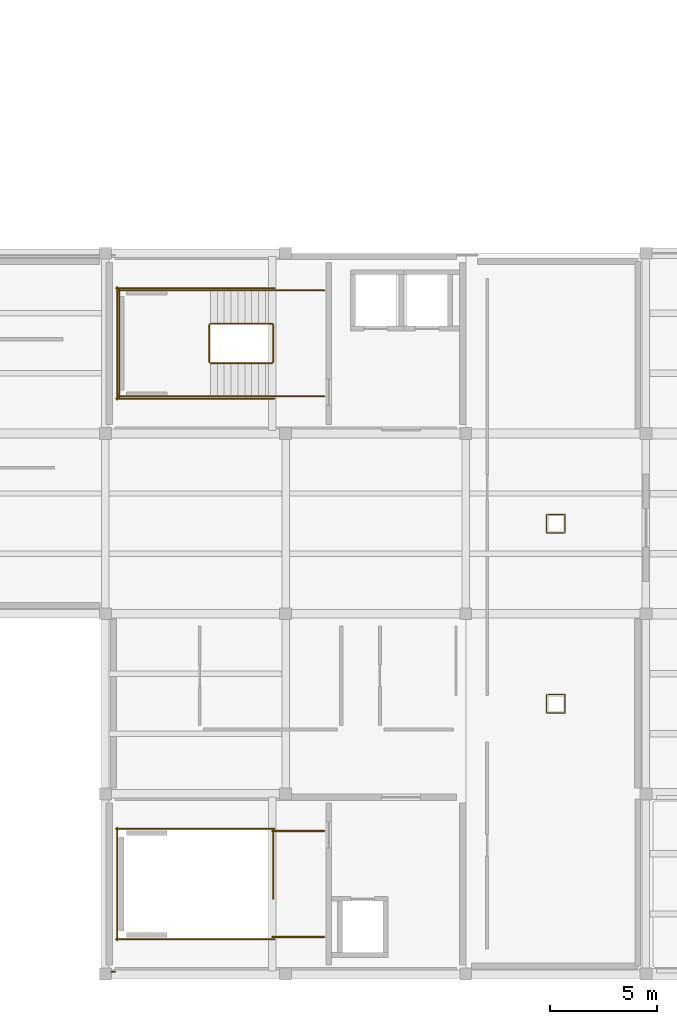
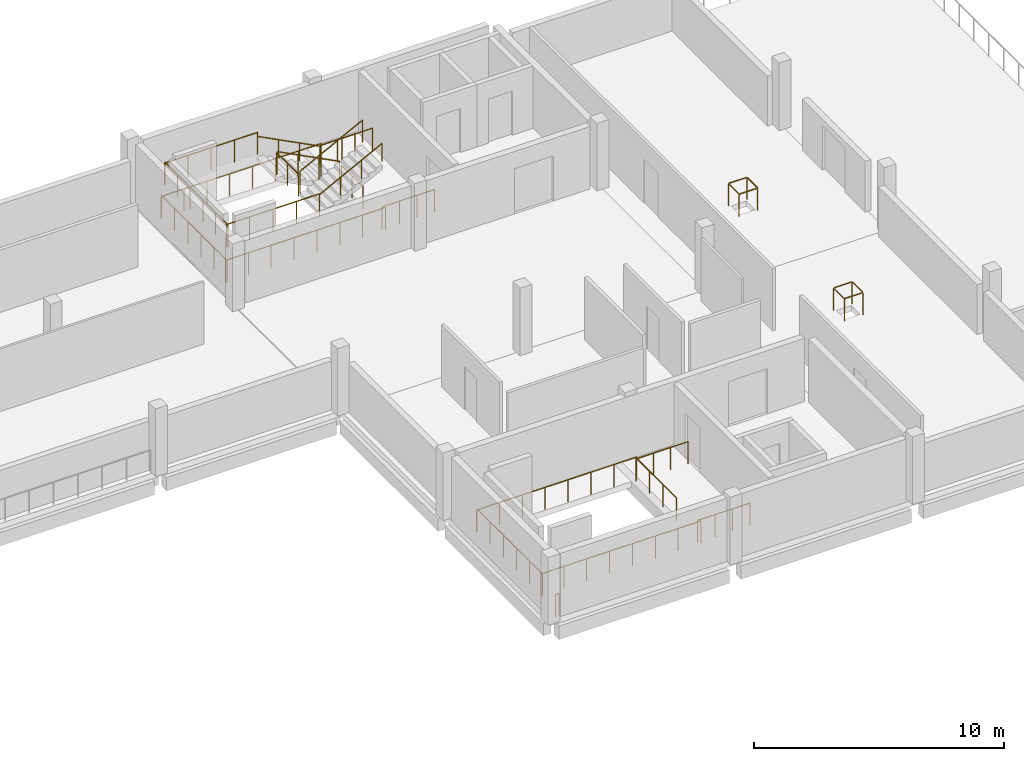
# One storey, part 41 of 43: 23 railings.
"""IFC4 building model written with IfcOpenShell, lengths in metres."""

from ifc_helpers import new_model, si_unit, derived_unit, direction, frame, origin, origin_2d, place, context, subcontext, project, spatial, circle, extrude, material, type_object, element, save


model = new_model("IFC4")

# Units and contexts
model_context = context("Model", 3, precision=1e-05, world=origin(), true_north=direction((0.0, 1.0)))
body_context = subcontext(model_context, "Body", "Model", "MODEL_VIEW")
ifc_project = project(units=[si_unit("LENGTHUNIT", "METRE"), si_unit("AREAUNIT", "SQUARE_METRE"), si_unit("VOLUMEUNIT", "CUBIC_METRE"), si_unit("PLANEANGLEUNIT", "RADIAN"), si_unit("MASSUNIT", "GRAM", prefix="KILO"), derived_unit("THERMALTRANSMITTANCEUNIT", [(si_unit("POWERUNIT", "WATT"), 1), (si_unit("LENGTHUNIT", "METRE"), -2), (si_unit("THERMODYNAMICTEMPERATUREUNIT", "KELVIN"), -1)])], contexts=[model_context])

# Site, building, storey
site_placement = place(None, origin())
site = spatial("IfcSite", under=ifc_project, at=site_placement, CompositionType="ELEMENT")
building_placement = place(site_placement, origin())
building = spatial("IfcBuilding", under=site, at=building_placement, Name="Elbkamm Science Centre", CompositionType="ELEMENT")
storey_placement = place(building_placement, frame((0.0, 0.0, 18.300048828125)))
storey = spatial("IfcBuildingStorey", under=building, at=storey_placement, Name="L04", CompositionType="ELEMENT", Elevation=18.300048828125)

# Railings
ifc_material = material(Name="Stainless steel EN 1.4401", Category="steel")
railing_type_1 = type_object("IfcRailingType", Name="RAIL-EXT-GUARD-1100", PredefinedType="GUARDRAIL", material=ifc_material)
railing_1_placement = place(storey_placement, frame((126.449951171875, 25.300048828125, 0.0)))
element("IfcRailing", 1, at=railing_1_placement, inside=storey, type_object=railing_type_1, Name="L04 Slab Edge Perimeter Guard 105", PredefinedType="GUARDRAIL", context=body_context, shape_type="SweptSolid", body=[
    extrude(circle(Radius=0.02392578125, at=origin_2d()), frame((0.0, 0.0, 1.078125), z_axis=(-1.0, 0.0, 0.0), x_axis=(0.0, -1.0, 0.0)), (0.0, 0.0, 1.0), 0.169921875),
    extrude(circle(Radius=0.02001953125, at=origin_2d()), origin(), (0.0, 0.0, 1.0), 1.048095703125),
    extrude(circle(Radius=0.02001953125, at=origin_2d()), frame((-0.169921875, 0.0, 0.0)), (0.0, 0.0, 1.0), 1.048095703125),
])
railing_type_2 = type_object("IfcRailingType", Name="RAIL-GUARD-1100", PredefinedType="GUARDRAIL", material=ifc_material)
railing_2_placement = place(storey_placement, frame((133.780029296875, 55.52001953125, 0.1650390625)))
element("IfcRailing", 2, at=railing_2_placement, inside=storey, type_object=railing_type_2, Name="L04 ST-C3 stair guard 1", PredefinedType="GUARDRAIL", context=body_context, shape_type="SweptSolid", body=[
    extrude(circle(Radius=0.02392578125, at=origin_2d()), frame((0.0, 0.0, 1.078125), z_axis=(-0.888828580888, 0.0, 0.458239843092), x_axis=(0.0, -1.0, 0.0)), (0.0, 0.0, 1.0), 3.240478515625),
    extrude(circle(Radius=0.02001953125, at=origin_2d()), origin(), (0.0, 0.0, 1.0), 1.048095703125),
    extrude(circle(Radius=0.02001953125, at=origin_2d()), frame((-0.9599609375, 0.0, 0.494873046875)), (0.0, 0.0, 1.0), 1.048095703125),
    extrude(circle(Radius=0.02001953125, at=origin_2d()), frame((-1.920166015625, 0.0, 0.989990234375)), (0.0, 0.0, 1.0), 1.048095703125),
    extrude(circle(Radius=0.02001953125, at=origin_2d()), frame((-2.880126953125, 0.0, 1.48486328125)), (0.0, 0.0, 1.0), 1.048095703125),
])
railing_3_placement = place(storey_placement, frame((130.85009765625, 55.469970703125, 1.64990234375)))
element("IfcRailing", 3, at=railing_3_placement, inside=storey, type_object=railing_type_2, Name="L04 ST-C3 stair guard 2", PredefinedType="GUARDRAIL", context=body_context, shape_type="SweptSolid", body=[
    extrude(circle(Radius=0.02392578125, at=origin_2d()), frame((0.0, 0.0, 1.078125), z_axis=(0.0, -1.0, 0.0), x_axis=(1.0, 0.0, 0.0)), (0.0, 0.0, 1.0), 1.739990234375),
    extrude(circle(Radius=0.02001953125, at=origin_2d()), origin(), (0.0, 0.0, 1.0), 1.048095703125),
    extrude(circle(Radius=0.02001953125, at=origin_2d()), frame((0.0, -0.8701171875, 0.0)), (0.0, 0.0, 1.0), 1.048095703125),
    extrude(circle(Radius=0.02001953125, at=origin_2d()), frame((0.0, -1.739990234375, 0.0)), (0.0, 0.0, 1.0), 1.048095703125),
])
for number, where, name in (
    (4, (130.89990234375, 57.070068359375, 1.64990234375), "L04 ST-C3 stair guard 3"),
    (5, (130.89990234375, 52.1298828125, 1.64990234375), "L04 ST-C3 stair guard 4"),
):
    element("IfcRailing", number, at=place(storey_placement, frame(where)), inside=storey, type_object=railing_type_2, Name=name, PredefinedType="GUARDRAIL", context=body_context, shape_type="SweptSolid", body=[
        extrude(circle(Radius=0.02392578125, at=origin_2d()), frame((0.0, 0.0, 1.078125), z_axis=(-1.0, 0.0, 0.0), x_axis=(0.0, -1.0, 0.0)), (0.0, 0.0, 1.0), 4.2998046875),
        extrude(circle(Radius=0.02001953125, at=origin_2d()), origin(), (0.0, 0.0, 1.0), 1.048095703125),
        extrude(circle(Radius=0.02001953125, at=origin_2d()), frame((-1.074951171875, 0.0, 0.0)), (0.0, 0.0, 1.0), 1.048095703125),
        extrude(circle(Radius=0.02001953125, at=origin_2d()), frame((-2.14990234375, 0.0, 0.0)), (0.0, 0.0, 1.0), 1.048095703125),
        extrude(circle(Radius=0.02001953125, at=origin_2d()), frame((-3.224853515625, 0.0, 0.0)), (0.0, 0.0, 1.0), 1.048095703125),
        extrude(circle(Radius=0.02001953125, at=origin_2d()), frame((-4.2998046875, 0.0, 0.0)), (0.0, 0.0, 1.0), 1.048095703125),
    ])
railing_4_placement = place(storey_placement, frame((126.64990234375, 57.1201171875, 1.64990234375)))
element("IfcRailing", 6, at=railing_4_placement, inside=storey, type_object=railing_type_2, Name="L04 ST-C3 stair guard 5", PredefinedType="GUARDRAIL", context=body_context, shape_type="SweptSolid", body=[
    extrude(circle(Radius=0.02392578125, at=origin_2d()), frame((0.0, 0.0, 1.078125), z_axis=(0.0, -1.0, 0.0), x_axis=(1.0, 0.0, 0.0)), (0.0, 0.0, 1.0), 5.0400390625),
    extrude(circle(Radius=0.02001953125, at=origin_2d()), origin(), (0.0, 0.0, 1.0), 1.048095703125),
    extrude(circle(Radius=0.02001953125, at=origin_2d()), frame((0.0, -1.008056640625, 0.0)), (0.0, 0.0, 1.0), 1.048095703125),
    extrude(circle(Radius=0.02001953125, at=origin_2d()), frame((0.0, -2.01611328125, 0.0)), (0.0, 0.0, 1.0), 1.048095703125),
    extrude(circle(Radius=0.02001953125, at=origin_2d()), frame((0.0, -3.02392578125, 0.0)), (0.0, 0.0, 1.0), 1.048095703125),
    extrude(circle(Radius=0.02001953125, at=origin_2d()), frame((0.0, -4.031982421875, 0.0)), (0.0, 0.0, 1.0), 1.048095703125),
    extrude(circle(Radius=0.02001953125, at=origin_2d()), frame((0.0, -5.0400390625, 0.0)), (0.0, 0.0, 1.0), 1.048095703125),
])
railing_5_placement = place(storey_placement, frame((130.89990234375, 53.679931640625, 1.81494140625)))
element("IfcRailing", 7, at=railing_5_placement, inside=storey, type_object=railing_type_2, Name="L04 ST-C3 stair guard 6", PredefinedType="GUARDRAIL", context=body_context, shape_type="SweptSolid", body=[
    extrude(circle(Radius=0.02392578125, at=origin_2d()), frame((0.0, 0.0, 1.078125), z_axis=(0.888797892752, 0.0, 0.458299362687), x_axis=(0.0, 1.0, 0.0)), (0.0, 0.0, 1.0), 3.240478515625),
    extrude(circle(Radius=0.02001953125, at=origin_2d()), origin(), (0.0, 0.0, 1.0), 1.048095703125),
    extrude(circle(Radius=0.02001953125, at=origin_2d()), frame((0.9599609375, 0.0, 0.4951171875)), (0.0, 0.0, 1.0), 1.048095703125),
    extrude(circle(Radius=0.02001953125, at=origin_2d()), frame((1.920166015625, 0.0, 0.989990234375)), (0.0, 0.0, 1.0), 1.048095703125),
    extrude(circle(Radius=0.02001953125, at=origin_2d()), frame((2.880126953125, 0.0, 1.485107421875)), (0.0, 0.0, 1.0), 1.048095703125),
])
railing_6_placement = place(storey_placement, frame((133.830078125, 55.469970703125, 0.0)))
element("IfcRailing", 8, at=railing_6_placement, inside=storey, type_object=railing_type_2, Name="L04 ST-C3 stair guard 7", PredefinedType="GUARDRAIL", context=body_context, shape_type="SweptSolid", body=[
    extrude(circle(Radius=0.02392578125, at=origin_2d()), frame((0.0, 0.0, 1.078125), z_axis=(0.0, -1.0, 0.0), x_axis=(1.0, 0.0, 0.0)), (0.0, 0.0, 1.0), 1.739990234375),
    extrude(circle(Radius=0.02001953125, at=origin_2d()), origin(), (0.0, 0.0, 1.0), 1.048095703125),
    extrude(circle(Radius=0.02001953125, at=origin_2d()), frame((0.0, -0.8701171875, 0.0)), (0.0, 0.0, 1.0), 1.048095703125),
    extrude(circle(Radius=0.02001953125, at=origin_2d()), frame((0.0, -1.739990234375, 0.0)), (0.0, 0.0, 1.0), 1.048095703125),
])
for number, where, name in (
    (9, (136.199951171875, 57.070068359375, 0.0), "L04 ST-C3 stair guard 8"),
    (10, (136.199951171875, 52.1298828125, 0.0), "L04 ST-C3 stair guard 9"),
):
    element("IfcRailing", number, at=place(storey_placement, frame(where)), inside=storey, type_object=railing_type_2, Name=name, PredefinedType="GUARDRAIL", context=body_context, shape_type="SweptSolid", body=[
        extrude(circle(Radius=0.02392578125, at=origin_2d()), frame((0.0, 0.0, 1.078125), z_axis=(-1.0, 0.0, 0.0), x_axis=(0.0, -1.0, 0.0)), (0.0, 0.0, 1.0), 2.419921875),
        extrude(circle(Radius=0.02001953125, at=origin_2d()), origin(), (0.0, 0.0, 1.0), 1.048095703125),
        extrude(circle(Radius=0.02001953125, at=origin_2d()), frame((-0.806640625, 0.0, 0.0)), (0.0, 0.0, 1.0), 1.048095703125),
        extrude(circle(Radius=0.02001953125, at=origin_2d()), frame((-1.61328125, 0.0, 0.0)), (0.0, 0.0, 1.0), 1.048095703125),
        extrude(circle(Radius=0.02001953125, at=origin_2d()), frame((-2.419921875, 0.0, 0.0)), (0.0, 0.0, 1.0), 1.048095703125),
    ])
for number, where, name in (
    (11, (133.8798828125, 57.169921875, 0.0), "L04 ST-C3 stair guard 10"),
    (12, (133.8798828125, 52.030029296875, 0.0), "L04 ST-C3 stair guard 11"),
):
    element("IfcRailing", number, at=place(storey_placement, frame(where)), inside=storey, type_object=railing_type_2, Name=name, PredefinedType="GUARDRAIL", context=body_context, shape_type="SweptSolid", body=[
        extrude(circle(Radius=0.02392578125, at=origin_2d()), frame((0.0, 0.0, 1.078125), z_axis=(-1.0, 0.0, 0.0), x_axis=(0.0, -1.0, 0.0)), (0.0, 0.0, 1.0), 7.3798828125),
        extrude(circle(Radius=0.02001953125, at=origin_2d()), origin(), (0.0, 0.0, 1.0), 1.048095703125),
        extrude(circle(Radius=0.02001953125, at=origin_2d()), frame((-1.05419921875, 0.0, 0.0)), (0.0, 0.0, 1.0), 1.048095703125),
        extrude(circle(Radius=0.02001953125, at=origin_2d()), frame((-2.108642578125, 0.0, 0.0)), (0.0, 0.0, 1.0), 1.048095703125),
        extrude(circle(Radius=0.02001953125, at=origin_2d()), frame((-3.162841796875, 0.0, 0.0)), (0.0, 0.0, 1.0), 1.048095703125),
        extrude(circle(Radius=0.02001953125, at=origin_2d()), frame((-4.217041015625, 0.0, 0.0)), (0.0, 0.0, 1.0), 1.048095703125),
        extrude(circle(Radius=0.02001953125, at=origin_2d()), frame((-5.271240234375, 0.0, 0.0)), (0.0, 0.0, 1.0), 1.048095703125),
        extrude(circle(Radius=0.02001953125, at=origin_2d()), frame((-6.32568359375, 0.0, 0.0)), (0.0, 0.0, 1.0), 1.048095703125),
        extrude(circle(Radius=0.02001953125, at=origin_2d()), frame((-7.3798828125, 0.0, 0.0)), (0.0, 0.0, 1.0), 1.048095703125),
    ])
railing_7_placement = place(storey_placement, frame((126.550048828125, 57.219970703125, 0.0)))
element("IfcRailing", 13, at=railing_7_placement, inside=storey, type_object=railing_type_2, Name="L04 ST-C3 stair guard 12", PredefinedType="GUARDRAIL", context=body_context, shape_type="SweptSolid", body=[
    extrude(circle(Radius=0.02392578125, at=origin_2d()), frame((0.0, 0.0, 1.078125), z_axis=(0.0, -1.0, 0.0), x_axis=(1.0, 0.0, 0.0)), (0.0, 0.0, 1.0), 5.239990234375),
    extrude(circle(Radius=0.02001953125, at=origin_2d()), origin(), (0.0, 0.0, 1.0), 1.048095703125),
    extrude(circle(Radius=0.02001953125, at=origin_2d()), frame((0.0, -1.048095703125, 0.0)), (0.0, 0.0, 1.0), 1.048095703125),
    extrude(circle(Radius=0.02001953125, at=origin_2d()), frame((0.0, -2.095947265625, 0.0)), (0.0, 0.0, 1.0), 1.048095703125),
    extrude(circle(Radius=0.02001953125, at=origin_2d()), frame((0.0, -3.14404296875, 0.0)), (0.0, 0.0, 1.0), 1.048095703125),
    extrude(circle(Radius=0.02001953125, at=origin_2d()), frame((0.0, -4.19189453125, 0.0)), (0.0, 0.0, 1.0), 1.048095703125),
    extrude(circle(Radius=0.02001953125, at=origin_2d()), frame((0.0, -5.239990234375, 0.0)), (0.0, 0.0, 1.0), 1.048095703125),
])
railing_8_placement = place(storey_placement, frame((133.830078125, 31.919921875, 0.0)))
element("IfcRailing", 14, at=railing_8_placement, inside=storey, type_object=railing_type_2, Name="L04 ST-C4 top well guard 1", PredefinedType="GUARDRAIL", context=body_context, shape_type="SweptSolid", body=[
    extrude(circle(Radius=0.02392578125, at=origin_2d()), frame((0.0, 0.0, 1.078125), z_axis=(0.0, -1.0, 0.0), x_axis=(1.0, 0.0, 0.0)), (0.0, 0.0, 1.0), 3.219970703125),
    extrude(circle(Radius=0.02001953125, at=origin_2d()), origin(), (0.0, 0.0, 1.0), 1.048095703125),
    extrude(circle(Radius=0.02001953125, at=origin_2d()), frame((0.0, -1.0732421875, 0.0)), (0.0, 0.0, 1.0), 1.048095703125),
    extrude(circle(Radius=0.02001953125, at=origin_2d()), frame((0.0, -2.146728515625, 0.0)), (0.0, 0.0, 1.0), 1.048095703125),
    extrude(circle(Radius=0.02001953125, at=origin_2d()), frame((0.0, -3.219970703125, 0.0)), (0.0, 0.0, 1.0), 1.048095703125),
])
for number, where, name in (
    (15, (133.8798828125, 31.969970703125, 0.0), "L04 ST-C4 top well guard 2"),
    (16, (133.8798828125, 26.830078125, 0.0), "L04 ST-C4 top well guard 3"),
):
    element("IfcRailing", number, at=place(storey_placement, frame(where)), inside=storey, type_object=railing_type_2, Name=name, PredefinedType="GUARDRAIL", context=body_context, shape_type="SweptSolid", body=[
        extrude(circle(Radius=0.02392578125, at=origin_2d()), frame((0.0, 0.0, 1.078125), z_axis=(-1.0, 0.0, 0.0), x_axis=(0.0, -1.0, 0.0)), (0.0, 0.0, 1.0), 7.3798828125),
        extrude(circle(Radius=0.02001953125, at=origin_2d()), origin(), (0.0, 0.0, 1.0), 1.048095703125),
        extrude(circle(Radius=0.02001953125, at=origin_2d()), frame((-1.05419921875, 0.0, 0.0)), (0.0, 0.0, 1.0), 1.048095703125),
        extrude(circle(Radius=0.02001953125, at=origin_2d()), frame((-2.108642578125, 0.0, 0.0)), (0.0, 0.0, 1.0), 1.048095703125),
        extrude(circle(Radius=0.02001953125, at=origin_2d()), frame((-3.162841796875, 0.0, 0.0)), (0.0, 0.0, 1.0), 1.048095703125),
        extrude(circle(Radius=0.02001953125, at=origin_2d()), frame((-4.217041015625, 0.0, 0.0)), (0.0, 0.0, 1.0), 1.048095703125),
        extrude(circle(Radius=0.02001953125, at=origin_2d()), frame((-5.271240234375, 0.0, 0.0)), (0.0, 0.0, 1.0), 1.048095703125),
        extrude(circle(Radius=0.02001953125, at=origin_2d()), frame((-6.32568359375, 0.0, 0.0)), (0.0, 0.0, 1.0), 1.048095703125),
        extrude(circle(Radius=0.02001953125, at=origin_2d()), frame((-7.3798828125, 0.0, 0.0)), (0.0, 0.0, 1.0), 1.048095703125),
    ])
railing_9_placement = place(storey_placement, frame((126.550048828125, 32.02001953125, 0.0)))
element("IfcRailing", 17, at=railing_9_placement, inside=storey, type_object=railing_type_2, Name="L04 ST-C4 top well guard 4", PredefinedType="GUARDRAIL", context=body_context, shape_type="SweptSolid", body=[
    extrude(circle(Radius=0.02392578125, at=origin_2d()), frame((0.0, 0.0, 1.078125), z_axis=(0.0, -1.0, 0.0), x_axis=(1.0, 0.0, 0.0)), (0.0, 0.0, 1.0), 5.239990234375),
    extrude(circle(Radius=0.02001953125, at=origin_2d()), origin(), (0.0, 0.0, 1.0), 1.048095703125),
    extrude(circle(Radius=0.02001953125, at=origin_2d()), frame((0.0, -1.048095703125, 0.0)), (0.0, 0.0, 1.0), 1.048095703125),
    extrude(circle(Radius=0.02001953125, at=origin_2d()), frame((0.0, -2.095947265625, 0.0)), (0.0, 0.0, 1.0), 1.048095703125),
    extrude(circle(Radius=0.02001953125, at=origin_2d()), frame((0.0, -3.14404296875, 0.0)), (0.0, 0.0, 1.0), 1.048095703125),
    extrude(circle(Radius=0.02001953125, at=origin_2d()), frame((0.0, -4.19189453125, 0.0)), (0.0, 0.0, 1.0), 1.048095703125),
    extrude(circle(Radius=0.02001953125, at=origin_2d()), frame((0.0, -5.239990234375, 0.0)), (0.0, 0.0, 1.0), 1.048095703125),
])
for number, where, name in (
    (18, (136.199951171875, 31.8701171875, 0.0), "L04 ST-C4 top well guard 5"),
    (19, (136.199951171875, 26.929931640625, 0.0), "L04 ST-C4 top well guard 6"),
):
    element("IfcRailing", number, at=place(storey_placement, frame(where)), inside=storey, type_object=railing_type_2, Name=name, PredefinedType="GUARDRAIL", context=body_context, shape_type="SweptSolid", body=[
        extrude(circle(Radius=0.02392578125, at=origin_2d()), frame((0.0, 0.0, 1.078125), z_axis=(-1.0, 0.0, 0.0), x_axis=(0.0, -1.0, 0.0)), (0.0, 0.0, 1.0), 2.419921875),
        extrude(circle(Radius=0.02001953125, at=origin_2d()), origin(), (0.0, 0.0, 1.0), 1.048095703125),
        extrude(circle(Radius=0.02001953125, at=origin_2d()), frame((-0.806640625, 0.0, 0.0)), (0.0, 0.0, 1.0), 1.048095703125),
        extrude(circle(Radius=0.02001953125, at=origin_2d()), frame((-1.61328125, 0.0, 0.0)), (0.0, 0.0, 1.0), 1.048095703125),
        extrude(circle(Radius=0.02001953125, at=origin_2d()), frame((-2.419921875, 0.0, 0.0)), (0.0, 0.0, 1.0), 1.048095703125),
    ])
for number, where, name in (
    (20, (146.570068359375, 37.3701171875, 0.0), "L04 Service Riser Opening Guardrail 026"),
    (21, (146.570068359375, 45.77001953125, 0.0), "L04 Service Riser Opening Guardrail 027"),
):
    element("IfcRailing", number, at=place(storey_placement, frame(where)), inside=storey, type_object=railing_type_2, Name=name, PredefinedType="GUARDRAIL", context=body_context, shape_type="SweptSolid", body=[
        extrude(circle(Radius=0.02392578125, at=origin_2d()), frame((0.0, 0.0, 1.078125), z_axis=(1.0, 0.0, 0.0), x_axis=(0.0, 1.0, 0.0)), (0.0, 0.0, 1.0), 0.829833984375),
        extrude(circle(Radius=0.02392578125, at=origin_2d()), frame((0.85986328125, 0.030029296875, 1.078125), z_axis=(0.0, 1.0, 0.0), x_axis=(-1.0, 0.0, 0.0)), (0.0, 0.0, 1.0), 0.7998046875),
        extrude(circle(Radius=0.02392578125, at=origin_2d()), frame((0.829833984375, 0.85986328125, 1.078125), z_axis=(-1.0, 0.0, 0.0), x_axis=(0.0, -1.0, 0.0)), (0.0, 0.0, 1.0), 0.7998046875),
        extrude(circle(Radius=0.02392578125, at=origin_2d()), frame((0.0, 0.829833984375, 1.078125), z_axis=(0.0, -1.0, 0.0), x_axis=(1.0, 0.0, 0.0)), (0.0, 0.0, 1.0), 0.829833984375),
        extrude(circle(Radius=0.02001953125, at=origin_2d()), origin(), (0.0, 0.0, 1.0), 1.048095703125),
        extrude(circle(Radius=0.02001953125, at=origin_2d()), frame((0.85986328125, 0.0, 0.0)), (0.0, 0.0, 1.0), 1.048095703125),
        extrude(circle(Radius=0.02001953125, at=origin_2d()), frame((0.85986328125, 0.85986328125, 0.0)), (0.0, 0.0, 1.0), 1.048095703125),
        extrude(circle(Radius=0.02001953125, at=origin_2d()), frame((0.0, 0.85986328125, 0.0)), (0.0, 0.0, 1.0), 1.048095703125),
    ])
railing_type_3 = type_object("IfcRailingType", Name="RAIL-HAND-900", PredefinedType="HANDRAIL", material=ifc_material)
railing_10_placement = place(storey_placement, frame((133.780029296875, 57.070068359375, 0.1650390625)))
element("IfcRailing", 22, at=railing_10_placement, inside=storey, type_object=railing_type_3, Name="L04 ST-C3 stair handrail 1", PredefinedType="HANDRAIL", context=body_context, shape_type="SweptSolid", body=[
    extrude(circle(Radius=0.02392578125, at=origin_2d()), frame((0.0, 0.0, 0.8779296875), z_axis=(-0.888828580888, 0.0, 0.458239843092), x_axis=(0.0, -1.0, 0.0)), (0.0, 0.0, 1.0), 3.240478515625),
    extrude(circle(Radius=0.02001953125, at=origin_2d()), origin(), (0.0, 0.0, 1.0), 0.847900390625),
    extrude(circle(Radius=0.02001953125, at=origin_2d()), frame((-0.9599609375, 0.0, 0.494873046875)), (0.0, 0.0, 1.0), 0.847900390625),
    extrude(circle(Radius=0.02001953125, at=origin_2d()), frame((-1.920166015625, 0.0, 0.989990234375)), (0.0, 0.0, 1.0), 0.847900390625),
    extrude(circle(Radius=0.02001953125, at=origin_2d()), frame((-2.880126953125, 0.0, 1.48486328125)), (0.0, 0.0, 1.0), 0.847900390625),
])
railing_11_placement = place(storey_placement, frame((130.89990234375, 52.1298828125, 1.81494140625)))
element("IfcRailing", 23, at=railing_11_placement, inside=storey, type_object=railing_type_3, Name="L04 ST-C3 stair handrail 2", PredefinedType="HANDRAIL", context=body_context, shape_type="SweptSolid", body=[
    extrude(circle(Radius=0.02392578125, at=origin_2d()), frame((0.0, 0.0, 0.8779296875), z_axis=(0.888797892752, 0.0, 0.458299362687), x_axis=(0.0, 1.0, 0.0)), (0.0, 0.0, 1.0), 3.240478515625),
    extrude(circle(Radius=0.02001953125, at=origin_2d()), origin(), (0.0, 0.0, 1.0), 0.847900390625),
    extrude(circle(Radius=0.02001953125, at=origin_2d()), frame((0.9599609375, 0.0, 0.4951171875)), (0.0, 0.0, 1.0), 0.847900390625),
    extrude(circle(Radius=0.02001953125, at=origin_2d()), frame((1.920166015625, 0.0, 0.989990234375)), (0.0, 0.0, 1.0), 0.847900390625),
    extrude(circle(Radius=0.02001953125, at=origin_2d()), frame((2.880126953125, 0.0, 1.485107421875)), (0.0, 0.0, 1.0), 0.847900390625),
])

save(model, "model.ifc")
